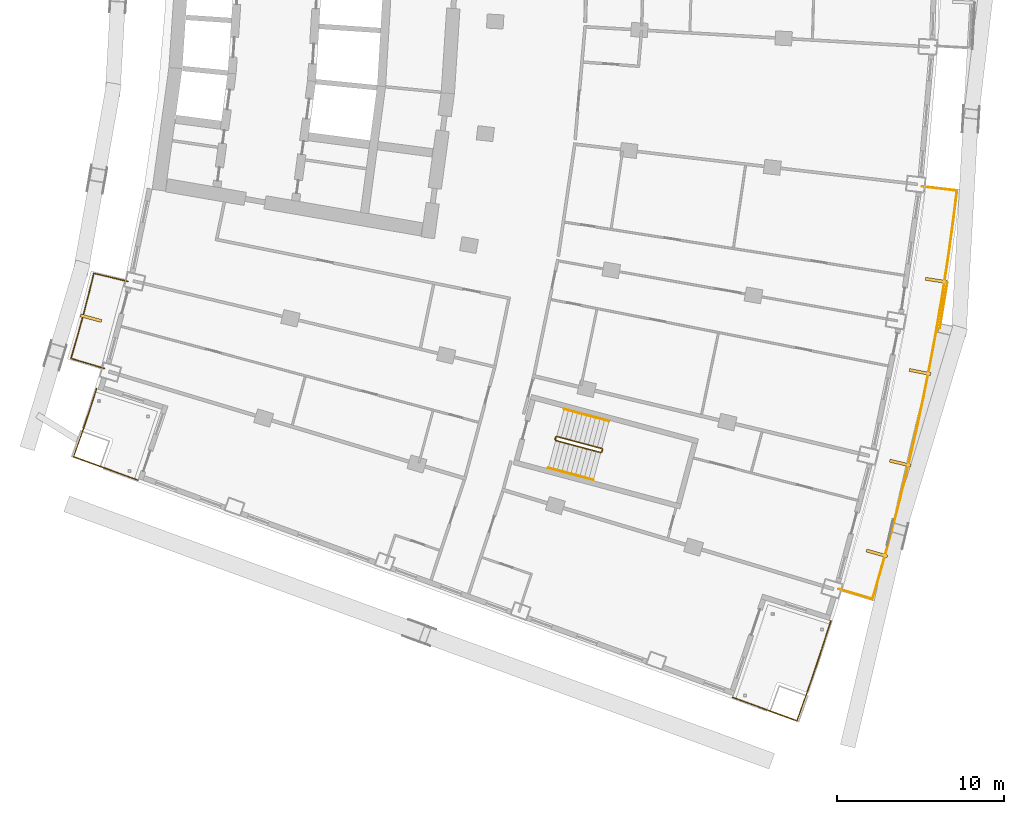
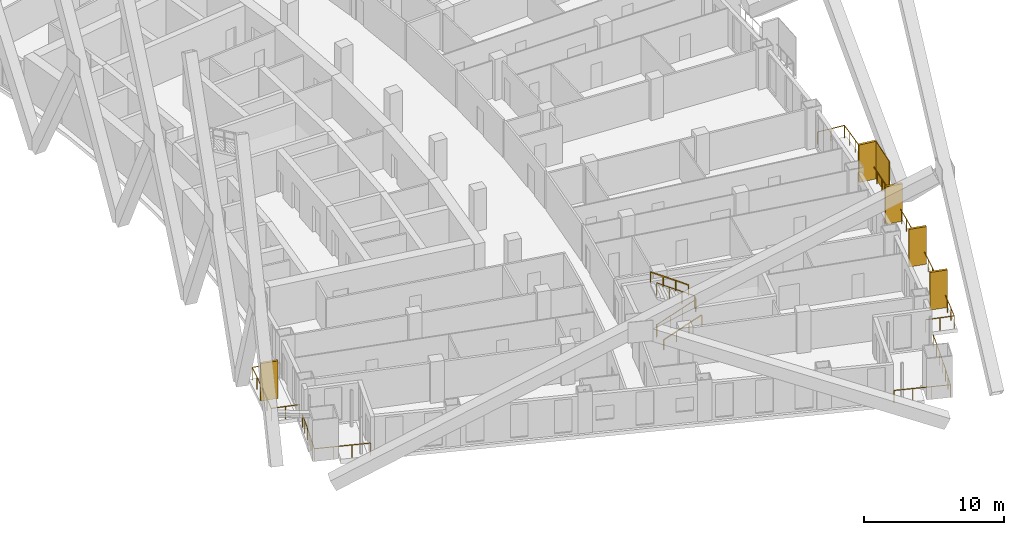
# One storey, part 24 of 26: 7 railings, 6 shading devices.
"""IFC4 building model written with IfcOpenShell, lengths in metres."""

from ifc_helpers import new_model, si_unit, direction, frame, origin, origin_2d, place, context, subcontext, project, spatial, rectangle, extrude, material, layer, layer_set, type_object, element, save


model = new_model("IFC4")

# Units and contexts
model_context = context("Model", 3, precision=1e-05, world=origin(), true_north=direction((0.0, 1.0)))
body_context = subcontext(model_context, "Body", "Model", "MODEL_VIEW")
ifc_project = project(units=[si_unit("LENGTHUNIT", "METRE"), si_unit("AREAUNIT", "SQUARE_METRE"), si_unit("VOLUMEUNIT", "CUBIC_METRE"), si_unit("PLANEANGLEUNIT", "RADIAN"), si_unit("MASSUNIT", "GRAM", prefix="KILO")], contexts=[model_context])

# Site, building, storey
site_placement = place(None, origin())
site = spatial("IfcSite", under=ifc_project, at=site_placement, CompositionType="ELEMENT")
building_placement = place(site_placement, origin())
building = spatial("IfcBuilding", under=site, at=building_placement, Name="Alderwake Tower", CompositionType="ELEMENT")
storey_placement = place(building_placement, frame((0.0, 0.0, 82.39990234375)))
storey = spatial("IfcBuildingStorey", under=building, at=storey_placement, Name="L19", CompositionType="ELEMENT", Elevation=82.39990234375)

# Railings
ifc_material_1 = material(Name="Stainless steel 316 rail and posts", Category="steel")
railing_type_1 = type_object("IfcRailingType", Name="Balcony guard 1100", PredefinedType="GUARDRAIL", material=ifc_material_1)
railing_1_placement = place(storey_placement, frame((56.22265625, 20.204833984375, 0.0)))
element("IfcRailing", 1, at=railing_1_placement, inside=storey, type_object=railing_type_1, Name="Guard BF02", PredefinedType="GUARDRAIL", context=body_context, shape_type="SweptSolid", body=[
    extrude(rectangle(XDim=0.048095703125, YDim=0.048095703125, at=origin_2d()), frame((0.0, 0.0, 1.076171875), z_axis=(0.957986128201, -0.286814536198, 0.0), x_axis=(0.286814536198, 0.957986128201, 0.0)), (0.0, 0.0, 1.0), 2.099853515625),
    extrude(rectangle(XDim=0.048095703125, YDim=0.048095703125, at=origin_2d()), frame((2.01171875, -0.602294921875, 1.076171875), z_axis=(0.280154349247, 0.959954968005, 0.0), x_axis=(-0.959954968005, 0.280154349247, 0.0)), (0.0, 0.0, 1.0), 2.00439453125),
    extrude(rectangle(XDim=0.048095703125, YDim=0.048095703125, at=origin_2d()), frame((2.5732421875, 1.32177734375, 1.076171875), z_axis=(0.266620451379, 0.963801605574, 0.0), x_axis=(-0.963801605574, 0.266620451379, 0.0)), (0.0, 0.0, 1.0), 2.104248046875),
    extrude(rectangle(XDim=0.048095703125, YDim=0.048095703125, at=origin_2d()), frame((3.13427734375, 3.349853515625, 1.076171875), z_axis=(0.252431341957, 0.967614808484, 0.0), x_axis=(-0.967614808484, 0.252431341957, 0.0)), (0.0, 0.0, 1.0), 2.1044921875),
    extrude(rectangle(XDim=0.048095703125, YDim=0.048095703125, at=origin_2d()), frame((3.66552734375, 5.38623046875, 1.076171875), z_axis=(0.238302054277, 0.971191088781, 0.0), x_axis=(-0.971191088781, 0.238302054277, 0.0)), (0.0, 0.0, 1.0), 2.104248046875),
    extrude(rectangle(XDim=0.048095703125, YDim=0.048095703125, at=origin_2d()), frame((4.1669921875, 7.429931640625, 1.076171875), z_axis=(0.224147692921, 0.974555186615, 0.0), x_axis=(-0.974555186615, 0.224147692921, 0.0)), (0.0, 0.0, 1.0), 2.104248046875),
    extrude(rectangle(XDim=0.048095703125, YDim=0.048095703125, at=origin_2d()), frame((4.638671875, 9.480712890625, 1.076171875), z_axis=(0.209885633333, 0.977725943668, 0.0), x_axis=(-0.977725943668, 0.209885633333, 0.0)), (0.0, 0.0, 1.0), 2.104248046875),
    extrude(rectangle(XDim=0.048095703125, YDim=0.048095703125, at=origin_2d()), frame((5.080322265625, 11.5380859375, 1.076171875), z_axis=(0.195602960633, 0.980683170954, 0.0), x_axis=(-0.980683170954, 0.195602960633, 0.0)), (0.0, 0.0, 1.0), 2.1044921875),
    extrude(rectangle(XDim=0.048095703125, YDim=0.048095703125, at=origin_2d()), frame((5.491943359375, 13.601806640625, 1.076171875), z_axis=(0.181212626515, 0.983443940442, 0.0), x_axis=(-0.983443940442, 0.181212626515, 0.0)), (0.0, 0.0, 1.0), 2.1044921875),
    extrude(rectangle(XDim=0.048095703125, YDim=0.048095703125, at=origin_2d()), frame((5.873291015625, 15.67138671875, 1.076171875), z_axis=(0.166957213464, 0.985964141778, 0.0), x_axis=(-0.985964141778, 0.166957213464, 0.0)), (0.0, 0.0, 1.0), 2.104248046875),
    extrude(rectangle(XDim=0.048095703125, YDim=0.048095703125, at=origin_2d()), frame((6.224609375, 17.74609375, 1.076171875), z_axis=(0.152554066346, 0.988295126388, 0.0), x_axis=(-0.988295126388, 0.152554066346, 0.0)), (0.0, 0.0, 1.0), 2.1044921875),
    extrude(rectangle(XDim=0.048095703125, YDim=0.048095703125, at=origin_2d()), frame((6.545654296875, 19.825927734375, 1.076171875), z_axis=(0.138058412224, 0.990424088365, 0.0), x_axis=(-0.990424088365, 0.138058412224, 0.0)), (0.0, 0.0, 1.0), 2.1044921875),
    extrude(rectangle(XDim=0.048095703125, YDim=0.048095703125, at=origin_2d()), frame((6.836181640625, 21.91015625, 1.076171875), z_axis=(0.124004750008, 0.992281624326, 0.0), x_axis=(-0.992281624326, 0.124004750008, 0.0)), (0.0, 0.0, 1.0), 2.004150390625),
    extrude(rectangle(XDim=0.048095703125, YDim=0.048095703125, at=origin_2d()), frame((7.084716796875, 23.89892578125, 1.076171875), z_axis=(-0.993124393357, 0.117063825835, 0.0), x_axis=(-0.117063825835, -0.993124393357, 0.0)), (0.0, 0.0, 1.0), 2.10009765625),
    extrude(rectangle(XDim=0.0419921875, YDim=0.0419921875, at=origin_2d()), frame((0.0, 0.0, 0.0), z_axis=(0.0, 0.0, 1.0), x_axis=(0.957986128201, -0.286814536198, 0.0)), (0.0, 0.0, 1.0), 1.052001953125),
    extrude(rectangle(XDim=0.0419921875, YDim=0.0419921875, at=origin_2d()), frame((1.005859375, -0.30126953125, 0.0), z_axis=(0.0, 0.0, 1.0), x_axis=(0.957986128201, -0.286814536198, 0.0)), (0.0, 0.0, 1.0), 1.052001953125),
    extrude(rectangle(XDim=0.0419921875, YDim=0.0419921875, at=origin_2d()), frame((2.01171875, -0.602294921875, 0.0), z_axis=(0.0, 0.0, 1.0), x_axis=(0.280154349247, 0.959954968005, 0.0)), (0.0, 0.0, 1.0), 1.052001953125),
    extrude(rectangle(XDim=0.0419921875, YDim=0.0419921875, at=origin_2d()), frame((2.29248046875, 0.35986328125, 0.0), z_axis=(0.0, 0.0, 1.0), x_axis=(0.280154349247, 0.959954968005, 0.0)), (0.0, 0.0, 1.0), 1.052001953125),
    extrude(rectangle(XDim=0.0419921875, YDim=0.0419921875, at=origin_2d()), frame((2.5732421875, 1.32177734375, 0.0), z_axis=(0.0, 0.0, 1.0), x_axis=(0.266620451379, 0.963801605574, 0.0)), (0.0, 0.0, 1.0), 1.052001953125),
    extrude(rectangle(XDim=0.0419921875, YDim=0.0419921875, at=origin_2d()), frame((2.853759765625, 2.3359375, 0.0), z_axis=(0.0, 0.0, 1.0), x_axis=(0.266620451379, 0.963801605574, 0.0)), (0.0, 0.0, 1.0), 1.052001953125),
    extrude(rectangle(XDim=0.0419921875, YDim=0.0419921875, at=origin_2d()), frame((3.13427734375, 3.349853515625, 0.0), z_axis=(0.0, 0.0, 1.0), x_axis=(0.252431341957, 0.967614808484, 0.0)), (0.0, 0.0, 1.0), 1.052001953125),
    extrude(rectangle(XDim=0.0419921875, YDim=0.0419921875, at=origin_2d()), frame((3.39990234375, 4.3681640625, 0.0), z_axis=(0.0, 0.0, 1.0), x_axis=(0.252431341957, 0.967614808484, 0.0)), (0.0, 0.0, 1.0), 1.052001953125),
    extrude(rectangle(XDim=0.0419921875, YDim=0.0419921875, at=origin_2d()), frame((3.66552734375, 5.38623046875, 0.0), z_axis=(0.0, 0.0, 1.0), x_axis=(0.238302054277, 0.971191088781, 0.0)), (0.0, 0.0, 1.0), 1.052001953125),
    extrude(rectangle(XDim=0.0419921875, YDim=0.0419921875, at=origin_2d()), frame((3.916259765625, 6.408203125, 0.0), z_axis=(0.0, 0.0, 1.0), x_axis=(0.238302054277, 0.971191088781, 0.0)), (0.0, 0.0, 1.0), 1.052001953125),
    extrude(rectangle(XDim=0.0419921875, YDim=0.0419921875, at=origin_2d()), frame((4.1669921875, 7.429931640625, 0.0), z_axis=(0.0, 0.0, 1.0), x_axis=(0.224147692921, 0.974555186615, 0.0)), (0.0, 0.0, 1.0), 1.052001953125),
    extrude(rectangle(XDim=0.0419921875, YDim=0.0419921875, at=origin_2d()), frame((4.40283203125, 8.455322265625, 0.0), z_axis=(0.0, 0.0, 1.0), x_axis=(0.224147692921, 0.974555186615, 0.0)), (0.0, 0.0, 1.0), 1.052001953125),
    extrude(rectangle(XDim=0.0419921875, YDim=0.0419921875, at=origin_2d()), frame((4.638671875, 9.480712890625, 0.0), z_axis=(0.0, 0.0, 1.0), x_axis=(0.209885633333, 0.977725943668, 0.0)), (0.0, 0.0, 1.0), 1.052001953125),
    extrude(rectangle(XDim=0.0419921875, YDim=0.0419921875, at=origin_2d()), frame((4.859375, 10.50927734375, 0.0), z_axis=(0.0, 0.0, 1.0), x_axis=(0.209885633333, 0.977725943668, 0.0)), (0.0, 0.0, 1.0), 1.052001953125),
    extrude(rectangle(XDim=0.0419921875, YDim=0.0419921875, at=origin_2d()), frame((5.080322265625, 11.5380859375, 0.0), z_axis=(0.0, 0.0, 1.0), x_axis=(0.195602960633, 0.980683170954, 0.0)), (0.0, 0.0, 1.0), 1.052001953125),
    extrude(rectangle(XDim=0.0419921875, YDim=0.0419921875, at=origin_2d()), frame((5.2861328125, 12.56982421875, 0.0), z_axis=(0.0, 0.0, 1.0), x_axis=(0.195602960633, 0.980683170954, 0.0)), (0.0, 0.0, 1.0), 1.052001953125),
    extrude(rectangle(XDim=0.0419921875, YDim=0.0419921875, at=origin_2d()), frame((5.491943359375, 13.601806640625, 0.0), z_axis=(0.0, 0.0, 1.0), x_axis=(0.181212626515, 0.983443940442, 0.0)), (0.0, 0.0, 1.0), 1.052001953125),
    extrude(rectangle(XDim=0.0419921875, YDim=0.0419921875, at=origin_2d()), frame((5.6826171875, 14.63671875, 0.0), z_axis=(0.0, 0.0, 1.0), x_axis=(0.181212626515, 0.983443940442, 0.0)), (0.0, 0.0, 1.0), 1.052001953125),
    extrude(rectangle(XDim=0.0419921875, YDim=0.0419921875, at=origin_2d()), frame((5.873291015625, 15.67138671875, 0.0), z_axis=(0.0, 0.0, 1.0), x_axis=(0.166957213464, 0.985964141778, 0.0)), (0.0, 0.0, 1.0), 1.052001953125),
    extrude(rectangle(XDim=0.0419921875, YDim=0.0419921875, at=origin_2d()), frame((6.048828125, 16.708740234375, 0.0), z_axis=(0.0, 0.0, 1.0), x_axis=(0.166957213464, 0.985964141778, 0.0)), (0.0, 0.0, 1.0), 1.052001953125),
    extrude(rectangle(XDim=0.0419921875, YDim=0.0419921875, at=origin_2d()), frame((6.224609375, 17.74609375, 0.0), z_axis=(0.0, 0.0, 1.0), x_axis=(0.152554066346, 0.988295126388, 0.0)), (0.0, 0.0, 1.0), 1.052001953125),
    extrude(rectangle(XDim=0.0419921875, YDim=0.0419921875, at=origin_2d()), frame((6.38525390625, 18.7861328125, 0.0), z_axis=(0.0, 0.0, 1.0), x_axis=(0.152554066346, 0.988295126388, 0.0)), (0.0, 0.0, 1.0), 1.052001953125),
    extrude(rectangle(XDim=0.0419921875, YDim=0.0419921875, at=origin_2d()), frame((6.545654296875, 19.825927734375, 0.0), z_axis=(0.0, 0.0, 1.0), x_axis=(0.138058412224, 0.990424088365, 0.0)), (0.0, 0.0, 1.0), 1.052001953125),
    extrude(rectangle(XDim=0.0419921875, YDim=0.0419921875, at=origin_2d()), frame((6.69091796875, 20.8681640625, 0.0), z_axis=(0.0, 0.0, 1.0), x_axis=(0.138058412224, 0.990424088365, 0.0)), (0.0, 0.0, 1.0), 1.052001953125),
    extrude(rectangle(XDim=0.0419921875, YDim=0.0419921875, at=origin_2d()), frame((6.836181640625, 21.91015625, 0.0), z_axis=(0.0, 0.0, 1.0), x_axis=(0.124004750008, 0.992281624326, 0.0)), (0.0, 0.0, 1.0), 1.052001953125),
    extrude(rectangle(XDim=0.0419921875, YDim=0.0419921875, at=origin_2d()), frame((6.96044921875, 22.904541015625, 0.0), z_axis=(0.0, 0.0, 1.0), x_axis=(0.124004750008, 0.992281624326, 0.0)), (0.0, 0.0, 1.0), 1.052001953125),
    extrude(rectangle(XDim=0.0419921875, YDim=0.0419921875, at=origin_2d()), frame((7.084716796875, 23.89892578125, 0.0), z_axis=(0.0, 0.0, 1.0), x_axis=(-0.993124393357, 0.117063825835, 0.0)), (0.0, 0.0, 1.0), 1.052001953125),
    extrude(rectangle(XDim=0.0419921875, YDim=0.0419921875, at=origin_2d()), frame((6.0419921875, 24.02197265625, 0.0), z_axis=(0.0, 0.0, 1.0), x_axis=(-0.993124393357, 0.117063825835, 0.0)), (0.0, 0.0, 1.0), 1.052001953125),
    extrude(rectangle(XDim=0.0419921875, YDim=0.0419921875, at=origin_2d()), frame((4.9990234375, 24.144775390625, 0.0), z_axis=(0.0, 0.0, 1.0), x_axis=(-0.993124393357, 0.117063825835, 0.0)), (0.0, 0.0, 1.0), 1.052001953125),
])
railing_2_placement = place(storey_placement, frame((12.16650390625, 33.435791015625, 0.0)))
element("IfcRailing", 2, at=railing_2_placement, inside=storey, type_object=railing_type_1, Name="Guard BR02", PredefinedType="GUARDRAIL", context=body_context, shape_type="SweptSolid", body=[
    extrude(rectangle(XDim=0.048095703125, YDim=0.048095703125, at=origin_2d()), frame((0.0, 0.0, 1.076171875), z_axis=(-0.958091458885, 0.286462486918, 0.0), x_axis=(-0.286462486918, -0.958091458885, 0.0)), (0.0, 0.0, 1.0), 2.099853515625),
    extrude(rectangle(XDim=0.048095703125, YDim=0.048095703125, at=origin_2d()), frame((-2.011962890625, 0.6015625, 1.076171875), z_axis=(0.279963157487, 0.960010744966, 0.0), x_axis=(-0.960010744966, 0.279963157487, 0.0)), (0.0, 0.0, 1.0), 1.272216796875),
    extrude(rectangle(XDim=0.048095703125, YDim=0.048095703125, at=origin_2d()), frame((-1.65576171875, 1.822998046875, 1.076171875), z_axis=(0.266487604617, 0.963838345671, 0.0), x_axis=(-0.963838345671, 0.266487604617, 0.0)), (0.0, 0.0, 1.0), 1.372314453125),
    extrude(rectangle(XDim=0.048095703125, YDim=0.048095703125, at=origin_2d()), frame((-1.2900390625, 3.145751953125, 1.076171875), z_axis=(0.252487086228, 0.967600264204, 0.0), x_axis=(-0.967600264204, 0.252487086228, 0.0)), (0.0, 0.0, 1.0), 1.3720703125),
    extrude(rectangle(XDim=0.048095703125, YDim=0.048095703125, at=origin_2d()), frame((-0.943603515625, 4.473388671875, 1.076171875), z_axis=(0.238877101641, 0.971049808358, 0.0), x_axis=(-0.971049808358, 0.238877101641, 0.0)), (0.0, 0.0, 1.0), 1.2724609375),
    extrude(rectangle(XDim=0.048095703125, YDim=0.048095703125, at=origin_2d()), frame((-0.6396484375, 5.708984375, 1.076171875), z_axis=(0.972646310656, -0.232291098337, 0.0), x_axis=(0.232291098337, 0.972646310656, 0.0)), (0.0, 0.0, 1.0), 2.099853515625),
    extrude(rectangle(XDim=0.0419921875, YDim=0.0419921875, at=origin_2d()), frame((0.0, 0.0, 0.0), z_axis=(0.0, 0.0, 1.0), x_axis=(-0.958091458885, 0.286462486918, 0.0)), (0.0, 0.0, 1.0), 1.052001953125),
    extrude(rectangle(XDim=0.0419921875, YDim=0.0419921875, at=origin_2d()), frame((-1.005859375, 0.30078125, 0.0), z_axis=(0.0, 0.0, 1.0), x_axis=(-0.958091458885, 0.286462486918, 0.0)), (0.0, 0.0, 1.0), 1.052001953125),
    extrude(rectangle(XDim=0.0419921875, YDim=0.0419921875, at=origin_2d()), frame((-2.011962890625, 0.6015625, 0.0), z_axis=(0.0, 0.0, 1.0), x_axis=(0.279963157487, 0.960010744966, 0.0)), (0.0, 0.0, 1.0), 1.052001953125),
    extrude(rectangle(XDim=0.0419921875, YDim=0.0419921875, at=origin_2d()), frame((-1.65576171875, 1.822998046875, 0.0), z_axis=(0.0, 0.0, 1.0), x_axis=(0.266487604617, 0.963838345671, 0.0)), (0.0, 0.0, 1.0), 1.052001953125),
    extrude(rectangle(XDim=0.0419921875, YDim=0.0419921875, at=origin_2d()), frame((-1.2900390625, 3.145751953125, 0.0), z_axis=(0.0, 0.0, 1.0), x_axis=(0.252487086228, 0.967600264204, 0.0)), (0.0, 0.0, 1.0), 1.052001953125),
    extrude(rectangle(XDim=0.0419921875, YDim=0.0419921875, at=origin_2d()), frame((-0.943603515625, 4.473388671875, 0.0), z_axis=(0.0, 0.0, 1.0), x_axis=(0.238877101641, 0.971049808358, 0.0)), (0.0, 0.0, 1.0), 1.052001953125),
    extrude(rectangle(XDim=0.0419921875, YDim=0.0419921875, at=origin_2d()), frame((-0.6396484375, 5.708984375, 0.0), z_axis=(0.0, 0.0, 1.0), x_axis=(0.972646310656, -0.232291098337, 0.0)), (0.0, 0.0, 1.0), 1.052001953125),
    extrude(rectangle(XDim=0.0419921875, YDim=0.0419921875, at=origin_2d()), frame((0.381591796875, 5.465087890625, 0.0), z_axis=(0.0, 0.0, 1.0), x_axis=(0.972646310656, -0.232291098337, 0.0)), (0.0, 0.0, 1.0), 1.052001953125),
    extrude(rectangle(XDim=0.0419921875, YDim=0.0419921875, at=origin_2d()), frame((1.40283203125, 5.22119140625, 0.0), z_axis=(0.0, 0.0, 1.0), x_axis=(0.972646310656, -0.232291098337, 0.0)), (0.0, 0.0, 1.0), 1.052001953125),
])
railing_3_placement = place(storey_placement, frame((55.739013671875, 18.289306640625, 0.0)))
element("IfcRailing", 3, at=railing_3_placement, inside=storey, type_object=railing_type_1, Name="Guard terrace FS", PredefinedType="GUARDRAIL", context=body_context, shape_type="SweptSolid", body=[
    extrude(rectangle(XDim=0.048095703125, YDim=0.048095703125, at=origin_2d()), frame((0.0, 0.0, 1.076171875), z_axis=(-0.307748860356, -0.9514676237, 0.0), x_axis=(0.9514676237, -0.307748860356, 0.0)), (0.0, 0.0, 1.0), 2.275146484375),
    extrude(rectangle(XDim=0.048095703125, YDim=0.048095703125, at=origin_2d()), frame((-0.7001953125, -2.164794921875, 1.076171875), z_axis=(-0.322257067834, -0.946652197077, 0.0), x_axis=(0.946652197077, -0.322257067834, 0.0)), (0.0, 0.0, 1.0), 2.074951171875),
    extrude(rectangle(XDim=0.048095703125, YDim=0.048095703125, at=origin_2d()), frame((-1.368896484375, -4.129150390625, 1.076171875), z_axis=(-0.335702093232, -0.94196820785, 0.0), x_axis=(0.94196820785, -0.335702093232, 0.0)), (0.0, 0.0, 1.0), 1.975341796875),
    extrude(rectangle(XDim=0.048095703125, YDim=0.048095703125, at=origin_2d()), frame((-2.031982421875, -5.98974609375, 1.076171875), z_axis=(-0.939605522223, 0.34225934992, 0.0), x_axis=(-0.34225934992, -0.939605522223, 0.0)), (0.0, 0.0, 1.0), 4.10009765625),
    extrude(rectangle(XDim=0.0419921875, YDim=0.0419921875, at=origin_2d()), frame((0.0, 0.0, 0.0), z_axis=(0.0, 0.0, 1.0), x_axis=(-0.307748860356, -0.9514676237, 0.0)), (0.0, 0.0, 1.0), 1.052001953125),
    extrude(rectangle(XDim=0.0419921875, YDim=0.0419921875, at=origin_2d()), frame((-0.35009765625, -1.08251953125, 0.0), z_axis=(0.0, 0.0, 1.0), x_axis=(-0.307748860356, -0.9514676237, 0.0)), (0.0, 0.0, 1.0), 1.052001953125),
    extrude(rectangle(XDim=0.0419921875, YDim=0.0419921875, at=origin_2d()), frame((-0.7001953125, -2.164794921875, 0.0), z_axis=(0.0, 0.0, 1.0), x_axis=(-0.322257067834, -0.946652197077, 0.0)), (0.0, 0.0, 1.0), 1.052001953125),
    extrude(rectangle(XDim=0.0419921875, YDim=0.0419921875, at=origin_2d()), frame((-1.03466796875, -3.14697265625, 0.0), z_axis=(0.0, 0.0, 1.0), x_axis=(-0.322257067834, -0.946652197077, 0.0)), (0.0, 0.0, 1.0), 1.052001953125),
    extrude(rectangle(XDim=0.0419921875, YDim=0.0419921875, at=origin_2d()), frame((-1.368896484375, -4.129150390625, 0.0), z_axis=(0.0, 0.0, 1.0), x_axis=(-0.335702093232, -0.94196820785, 0.0)), (0.0, 0.0, 1.0), 1.052001953125),
    extrude(rectangle(XDim=0.0419921875, YDim=0.0419921875, at=origin_2d()), frame((-1.700439453125, -5.0595703125, 0.0), z_axis=(0.0, 0.0, 1.0), x_axis=(-0.335702093232, -0.94196820785, 0.0)), (0.0, 0.0, 1.0), 1.052001953125),
    extrude(rectangle(XDim=0.0419921875, YDim=0.0419921875, at=origin_2d()), frame((-2.031982421875, -5.98974609375, 0.0), z_axis=(0.0, 0.0, 1.0), x_axis=(-0.939605522223, 0.34225934992, 0.0)), (0.0, 0.0, 1.0), 1.052001953125),
    extrude(rectangle(XDim=0.0419921875, YDim=0.0419921875, at=origin_2d()), frame((-3.316162109375, -5.52197265625, 0.0), z_axis=(0.0, 0.0, 1.0), x_axis=(-0.939605522223, 0.34225934992, 0.0)), (0.0, 0.0, 1.0), 1.052001953125),
    extrude(rectangle(XDim=0.0419921875, YDim=0.0419921875, at=origin_2d()), frame((-4.600341796875, -5.05419921875, 0.0), z_axis=(0.0, 0.0, 1.0), x_axis=(-0.939605522223, 0.34225934992, 0.0)), (0.0, 0.0, 1.0), 1.052001953125),
    extrude(rectangle(XDim=0.0419921875, YDim=0.0419921875, at=origin_2d()), frame((-5.884521484375, -4.58642578125, 0.0), z_axis=(0.0, 0.0, 1.0), x_axis=(-0.939605522223, 0.34225934992, 0.0)), (0.0, 0.0, 1.0), 1.052001953125),
])
railing_4_placement = place(storey_placement, frame((11.688720703125, 32.218017578125, 0.0)))
element("IfcRailing", 4, at=railing_4_placement, inside=storey, type_object=railing_type_1, Name="Guard terrace RS", PredefinedType="GUARDRAIL", context=body_context, shape_type="SweptSolid", body=[
    extrude(rectangle(XDim=0.048095703125, YDim=0.048095703125, at=origin_2d()), frame((0.0, 0.0, 1.076171875), z_axis=(-0.307479326145, -0.951554761426, 0.0), x_axis=(0.951554761426, -0.307479326145, 0.0)), (0.0, 0.0, 1.0), 1.6015625),
    extrude(rectangle(XDim=0.048095703125, YDim=0.048095703125, at=origin_2d()), frame((-0.492431640625, -1.52392578125, 1.076171875), z_axis=(-0.322283727344, -0.946643121292, 0.0), x_axis=(0.946643121292, -0.322283727344, 0.0)), (0.0, 0.0, 1.0), 1.4013671875),
    extrude(rectangle(XDim=0.048095703125, YDim=0.048095703125, at=origin_2d()), frame((-0.944091796875, -2.8505859375, 1.076171875), z_axis=(-0.335468607403, -0.942051385778, 0.0), x_axis=(0.942051385778, -0.335468607403, 0.0)), (0.0, 0.0, 1.0), 1.30126953125),
    extrude(rectangle(XDim=0.048095703125, YDim=0.048095703125, at=origin_2d()), frame((-1.380615234375, -4.076416015625, 1.076171875), z_axis=(0.939708203232, -0.341977327873, 0.0), x_axis=(0.341977327873, 0.939708203232, 0.0)), (0.0, 0.0, 1.0), 4.10009765625),
    extrude(rectangle(XDim=0.0419921875, YDim=0.0419921875, at=origin_2d()), frame((0.0, 0.0, 0.0), z_axis=(0.0, 0.0, 1.0), x_axis=(-0.307479326145, -0.951554761426, 0.0)), (0.0, 0.0, 1.0), 1.052001953125),
    extrude(rectangle(XDim=0.0419921875, YDim=0.0419921875, at=origin_2d()), frame((-0.24609375, -0.761962890625, 0.0), z_axis=(0.0, 0.0, 1.0), x_axis=(-0.307479326145, -0.951554761426, 0.0)), (0.0, 0.0, 1.0), 1.052001953125),
    extrude(rectangle(XDim=0.0419921875, YDim=0.0419921875, at=origin_2d()), frame((-0.492431640625, -1.52392578125, 0.0), z_axis=(0.0, 0.0, 1.0), x_axis=(-0.322283727344, -0.946643121292, 0.0)), (0.0, 0.0, 1.0), 1.052001953125),
    extrude(rectangle(XDim=0.0419921875, YDim=0.0419921875, at=origin_2d()), frame((-0.71826171875, -2.187255859375, 0.0), z_axis=(0.0, 0.0, 1.0), x_axis=(-0.322283727344, -0.946643121292, 0.0)), (0.0, 0.0, 1.0), 1.052001953125),
    extrude(rectangle(XDim=0.0419921875, YDim=0.0419921875, at=origin_2d()), frame((-0.944091796875, -2.8505859375, 0.0), z_axis=(0.0, 0.0, 1.0), x_axis=(-0.335468607403, -0.942051385778, 0.0)), (0.0, 0.0, 1.0), 1.052001953125),
    extrude(rectangle(XDim=0.0419921875, YDim=0.0419921875, at=origin_2d()), frame((-1.380615234375, -4.076416015625, 0.0), z_axis=(0.0, 0.0, 1.0), x_axis=(0.939708203232, -0.341977327873, 0.0)), (0.0, 0.0, 1.0), 1.052001953125),
    extrude(rectangle(XDim=0.0419921875, YDim=0.0419921875, at=origin_2d()), frame((-0.096435546875, -4.543701171875, 0.0), z_axis=(0.0, 0.0, 1.0), x_axis=(0.939708203232, -0.341977327873, 0.0)), (0.0, 0.0, 1.0), 1.052001953125),
    extrude(rectangle(XDim=0.0419921875, YDim=0.0419921875, at=origin_2d()), frame((1.18798828125, -5.01123046875, 0.0), z_axis=(0.0, 0.0, 1.0), x_axis=(0.939708203232, -0.341977327873, 0.0)), (0.0, 0.0, 1.0), 1.052001953125),
    extrude(rectangle(XDim=0.0419921875, YDim=0.0419921875, at=origin_2d()), frame((2.47216796875, -5.478515625, 0.0), z_axis=(0.0, 0.0, 1.0), x_axis=(0.939708203232, -0.341977327873, 0.0)), (0.0, 0.0, 1.0), 1.052001953125),
])

# Shading devices
ifc_material_2 = material(Name="Bronze anodised aluminium", Category="aluminium")
ifc_layer_1 = layer(ifc_material_2, 0.179931640625)
ifc_layer_set_1 = layer_set([ifc_layer_1], Name="Facade fin 1300")
shading_device_type_1 = type_object("IfcShadingDeviceType", Name="Facade fin 1300", PredefinedType="USERDEFINED", material=ifc_layer_set_1)
for number, where, z_axis, x_axis, name in (
    (5, (58.505615234375, 22.339111328125, 0.0), (0.0, 0.0, 1.0), (0.96318180783, -0.268850897459, 0.0), "Fin"),
    (6, (59.904296875, 27.7548828125, 0.0), (0.0, 0.0, 1.0), (0.972908790564, -0.231189284448, 0.0), "Fin"),
    (7, (61.09130859375, 33.220947265625, 0.0), (0.0, 0.0, 1.0), (0.981163751315, -0.193177879441, 0.0), "Fin"),
    (8, (62.062744140625, 38.71484375, 0.0), (0.0, 0.0, 1.0), (0.987918787879, -0.154972476771, 0.0), "Fin"),
    (9, (11.359375, 36.45166015625, 0.0), (0.0, 0.0, 1.0), (0.965744448231, -0.259495010957, 0.0), "Fin"),
):
    element("IfcShadingDevice", number, at=place(storey_placement, frame(where, z_axis=z_axis, x_axis=x_axis)), inside=storey, type_object=shading_device_type_1, Name=name, ObjectType="FIN", PredefinedType="USERDEFINED", context=body_context, shape_type="SweptSolid", body=[
        extrude(rectangle(XDim=1.300048828125, YDim=0.179931640625, at=origin_2d()), origin(), (0.0, 0.0, 1.0), 3.280029296875),
    ])
ifc_material_3 = material(Name="Perforated bronze anodised aluminium", Category="aluminium")
ifc_layer_2 = layer(ifc_material_3, 0.050048828125)
ifc_layer_set_2 = layer_set([ifc_layer_2], Name="Perforated screen panel")
shading_device_type_2 = type_object("IfcShadingDeviceType", Name="Perforated screen panel", PredefinedType="USERDEFINED", material=ifc_layer_set_2)
shading_device_placement = place(storey_placement, frame((62.4990234375, 37.22802734375, 0.0), z_axis=(0.0, 0.0, 1.0), x_axis=(0.986369013299, -0.164548380739, 0.0)))
element("IfcShadingDevice", 10, at=shading_device_placement, inside=storey, type_object=shading_device_type_2, Name="Screen panel", ObjectType="SCREEN", PredefinedType="USERDEFINED", context=body_context, shape_type="SweptSolid", body=[
    extrude(rectangle(XDim=0.050048828125, YDim=2.802734375, at=origin_2d()), origin(), (0.0, 0.0, 1.0), 3.280029296875),
])

# Railings
ifc_material_4 = material(Name="Stainless steel guard", Category="steel")
railing_type_2 = type_object("IfcRailingType", Name="Stair guard 1100", PredefinedType="GUARDRAIL", material=ifc_material_4)
railing_5_placement = place(storey_placement, frame((39.1943359375, 29.17431640625, 0.0)))
element("IfcRailing", 11, at=railing_5_placement, inside=storey, type_object=railing_type_2, Name="L19 ST-C stair guard 1", PredefinedType="GUARDRAIL", context=body_context, shape_type="SweptSolid", body=[
    extrude(rectangle(XDim=0.048095703125, YDim=0.048095703125, at=origin_2d()), frame((0.0, 0.0, 1.076171875), z_axis=(0.257459803502, 0.966289009345, 0.0), x_axis=(-0.966289009345, 0.257459803502, 0.0)), (0.0, 0.0, 1.0), 0.14990234375),
    extrude(rectangle(XDim=0.048095703125, YDim=0.048095703125, at=origin_2d()), frame((0.03857421875, 0.144775390625, 1.076171875), z_axis=(-0.012055935761, -0.782708444821, 0.622271761226), x_axis=(0.999881397308, -0.015401016783, 0.0)), (0.0, 0.0, 1.0), 0.26318359375),
    extrude(rectangle(XDim=0.048095703125, YDim=0.048095703125, at=origin_2d()), frame((0.035400390625, -0.061279296875, 1.23974609375), z_axis=(0.834313512087, -0.222222637163, 0.504517653885), x_axis=(0.257380452725, 0.966310148221, 0.0)), (0.0, 0.0, 1.0), 3.2431640625),
    extrude(rectangle(XDim=0.048095703125, YDim=0.048095703125, at=origin_2d()), frame((2.7412109375, -0.781982421875, 2.8759765625), z_axis=(0.865031189262, 0.501718089772, 0.0), x_axis=(-0.501718089772, 0.865031189262, 0.0)), (0.0, 0.0, 1.0), 0.070556640625),
    extrude(rectangle(XDim=0.048095703125, YDim=0.048095703125, at=origin_2d()), frame((2.80224609375, -0.74658203125, 2.8759765625), z_axis=(0.257055032184, 0.966396766566, 0.0), x_axis=(-0.966396766566, 0.257055032184, 0.0)), (0.0, 0.0, 1.0), 0.150146484375),
    extrude(rectangle(XDim=0.048095703125, YDim=0.048095703125, at=origin_2d()), frame((2.8408203125, -0.6015625, 2.8759765625), z_axis=(-0.198625291617, 0.343827228937, 0.91778583023), x_axis=(-0.865898279276, -0.500220121494, 0.0)), (0.0, 0.0, 1.0), 0.17822265625),
    extrude(rectangle(XDim=0.048095703125, YDim=0.048095703125, at=origin_2d()), frame((2.805419921875, -0.540283203125, 3.03955078125), z_axis=(-0.834258940753, 0.22222815314, 0.504605457487), x_axis=(-0.257402139082, -0.966304371715, 0.0)), (0.0, 0.0, 1.0), 3.2431640625),
    extrude(rectangle(XDim=0.0419921875, YDim=0.0419921875, at=origin_2d()), frame((0.0, 0.0, 0.0), z_axis=(0.0, 0.0, 1.0), x_axis=(0.257459803502, 0.966289009345, 0.0)), (0.0, 0.0, 1.0), 1.052001953125),
    extrude(rectangle(XDim=0.0419921875, YDim=0.0419921875, at=origin_2d()), frame((0.03857421875, 0.144775390625, 0.0), z_axis=(0.0, 0.0, 1.0), x_axis=(-0.015401016783, -0.999881397308, 0.0)), (0.0, 0.0, 1.0), 1.052001953125),
    extrude(rectangle(XDim=0.0419921875, YDim=0.0419921875, at=origin_2d()), frame((0.035400390625, -0.061279296875, 0.163818359375), z_axis=(0.0, 0.0, 1.0), x_axis=(0.966310148221, -0.257380452725, 0.0)), (0.0, 0.0, 1.0), 1.052001953125),
    extrude(rectangle(XDim=0.0419921875, YDim=0.0419921875, at=origin_2d()), frame((0.937255859375, -0.301513671875, 0.709228515625), z_axis=(0.0, 0.0, 1.0), x_axis=(0.966310148221, -0.257380452725, 0.0)), (0.0, 0.0, 1.0), 1.052001953125),
    extrude(rectangle(XDim=0.0419921875, YDim=0.0419921875, at=origin_2d()), frame((1.83935546875, -0.541748046875, 1.254638671875), z_axis=(0.0, 0.0, 1.0), x_axis=(0.966310148221, -0.257380452725, 0.0)), (0.0, 0.0, 1.0), 1.052001953125),
    extrude(rectangle(XDim=0.0419921875, YDim=0.0419921875, at=origin_2d()), frame((2.7412109375, -0.781982421875, 1.800048828125), z_axis=(0.0, 0.0, 1.0), x_axis=(0.865031189262, 0.501718089772, 0.0)), (0.0, 0.0, 1.0), 1.052001953125),
    extrude(rectangle(XDim=0.0419921875, YDim=0.0419921875, at=origin_2d()), frame((2.80224609375, -0.74658203125, 1.800048828125), z_axis=(0.0, 0.0, 1.0), x_axis=(0.257055032184, 0.966396766566, 0.0)), (0.0, 0.0, 1.0), 1.052001953125),
    extrude(rectangle(XDim=0.0419921875, YDim=0.0419921875, at=origin_2d()), frame((2.8408203125, -0.6015625, 1.800048828125), z_axis=(0.0, 0.0, 1.0), x_axis=(-0.500220121494, 0.865898279276, 0.0)), (0.0, 0.0, 1.0), 1.052001953125),
    extrude(rectangle(XDim=0.0419921875, YDim=0.0419921875, at=origin_2d()), frame((2.805419921875, -0.540283203125, 1.963623046875), z_axis=(0.0, 0.0, 1.0), x_axis=(-0.966304371715, 0.257402139082, 0.0)), (0.0, 0.0, 1.0), 1.052001953125),
    extrude(rectangle(XDim=0.0419921875, YDim=0.0419921875, at=origin_2d()), frame((1.903564453125, -0.300048828125, 2.509033203125), z_axis=(0.0, 0.0, 1.0), x_axis=(-0.966304371715, 0.257402139082, 0.0)), (0.0, 0.0, 1.0), 1.052001953125),
    extrude(rectangle(XDim=0.0419921875, YDim=0.0419921875, at=origin_2d()), frame((1.001708984375, -0.059814453125, 3.0546875), z_axis=(0.0, 0.0, 1.0), x_axis=(-0.966304371715, 0.257402139082, 0.0)), (0.0, 0.0, 1.0), 1.052001953125),
    extrude(rectangle(XDim=0.0419921875, YDim=0.0419921875, at=origin_2d()), frame((0.099853515625, 0.180419921875, 3.60009765625), z_axis=(0.0, 0.0, 1.0), x_axis=(-0.966304371715, 0.257402139082, 0.0)), (0.0, 0.0, 1.0), 1.052001953125),
])
ifc_material_5 = material(Name="Stainless steel handrail", Category="steel")
railing_type_3 = type_object("IfcRailingType", Name="Stair handrail 900", PredefinedType="HANDRAIL", material=ifc_material_5)
railing_6_placement = place(storey_placement, frame((38.792236328125, 27.47021484375, 0.163818359375)))
element("IfcRailing", 12, at=railing_6_placement, inside=storey, type_object=railing_type_3, Name="L19 ST-C stair handrail 1", PredefinedType="HANDRAIL", context=body_context, shape_type="SweptSolid", body=[
    extrude(rectangle(XDim=0.048095703125, YDim=0.048095703125, at=origin_2d()), frame((0.0, 0.0, 0.8759765625), z_axis=(0.834304587439, -0.222165027751, 0.504557782442), x_axis=(0.25732071773, 0.966326056891, 0.0)), (0.0, 0.0, 1.0), 3.242919921875),
    extrude(rectangle(XDim=0.0419921875, YDim=0.0419921875, at=origin_2d()), frame((0.0, 0.0, 0.0), z_axis=(0.0, 0.0, 1.0), x_axis=(0.966326056891, -0.25732071773, 0.0)), (0.0, 0.0, 1.0), 0.851806640625),
    extrude(rectangle(XDim=0.0419921875, YDim=0.0419921875, at=origin_2d()), frame((0.90185546875, -0.240234375, 0.54541015625), z_axis=(0.0, 0.0, 1.0), x_axis=(0.966326056891, -0.25732071773, 0.0)), (0.0, 0.0, 1.0), 0.851806640625),
    extrude(rectangle(XDim=0.0419921875, YDim=0.0419921875, at=origin_2d()), frame((1.8037109375, -0.480224609375, 1.0908203125), z_axis=(0.0, 0.0, 1.0), x_axis=(0.966326056891, -0.25732071773, 0.0)), (0.0, 0.0, 1.0), 0.851806640625),
    extrude(rectangle(XDim=0.0419921875, YDim=0.0419921875, at=origin_2d()), frame((2.70556640625, -0.720458984375, 1.63623046875), z_axis=(0.0, 0.0, 1.0), x_axis=(0.966326056891, -0.25732071773, 0.0)), (0.0, 0.0, 1.0), 0.851806640625),
])
railing_7_placement = place(storey_placement, frame((42.437255859375, 30.276611328125, 1.963623046875)))
element("IfcRailing", 13, at=railing_7_placement, inside=storey, type_object=railing_type_3, Name="L19 ST-C stair handrail 2", PredefinedType="HANDRAIL", context=body_context, shape_type="SweptSolid", body=[
    extrude(rectangle(XDim=0.048095703125, YDim=0.048095703125, at=origin_2d()), frame((0.0, 0.0, 0.8759765625), z_axis=(-0.834258940753, 0.22222815314, 0.504605457487), x_axis=(-0.257402139082, -0.966304371715, 0.0)), (0.0, 0.0, 1.0), 3.2431640625),
    extrude(rectangle(XDim=0.0419921875, YDim=0.0419921875, at=origin_2d()), frame((0.0, 0.0, 0.0), z_axis=(0.0, 0.0, 1.0), x_axis=(-0.966304371715, 0.257402139082, 0.0)), (0.0, 0.0, 1.0), 0.851806640625),
    extrude(rectangle(XDim=0.0419921875, YDim=0.0419921875, at=origin_2d()), frame((-0.90185546875, 0.240234375, 0.54541015625), z_axis=(0.0, 0.0, 1.0), x_axis=(-0.966304371715, 0.257402139082, 0.0)), (0.0, 0.0, 1.0), 0.851806640625),
    extrude(rectangle(XDim=0.0419921875, YDim=0.0419921875, at=origin_2d()), frame((-1.8037109375, 0.48046875, 1.091064453125), z_axis=(0.0, 0.0, 1.0), x_axis=(-0.966304371715, 0.257402139082, 0.0)), (0.0, 0.0, 1.0), 0.851806640625),
    extrude(rectangle(XDim=0.0419921875, YDim=0.0419921875, at=origin_2d()), frame((-2.70556640625, 0.720703125, 1.636474609375), z_axis=(0.0, 0.0, 1.0), x_axis=(-0.966304371715, 0.257402139082, 0.0)), (0.0, 0.0, 1.0), 0.851806640625),
])

save(model, "model.ifc")
